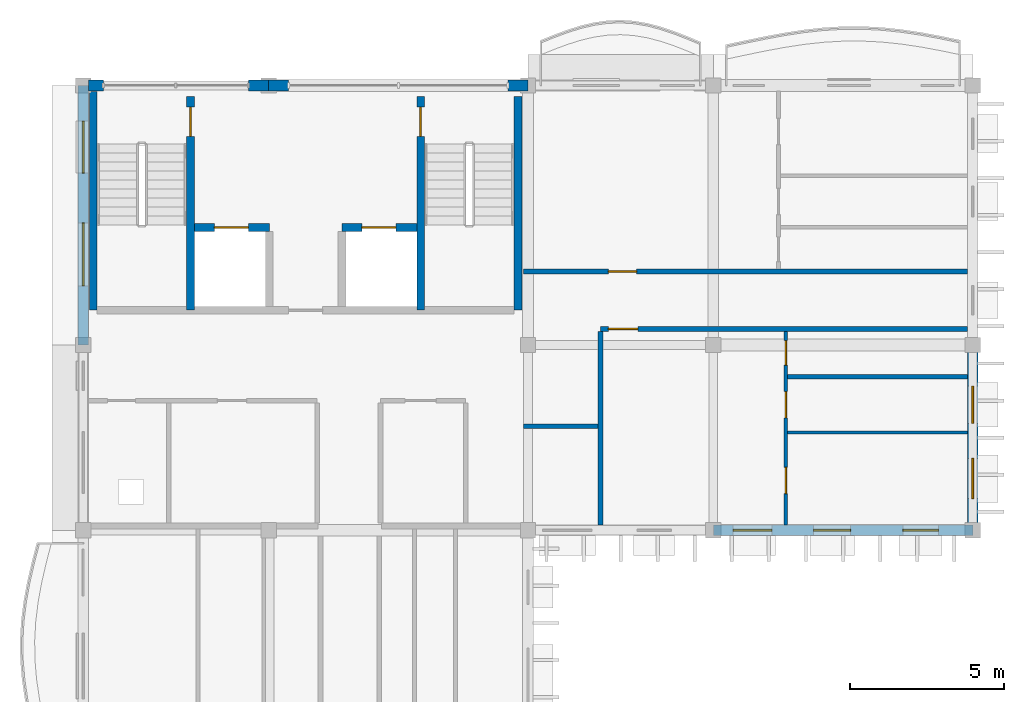
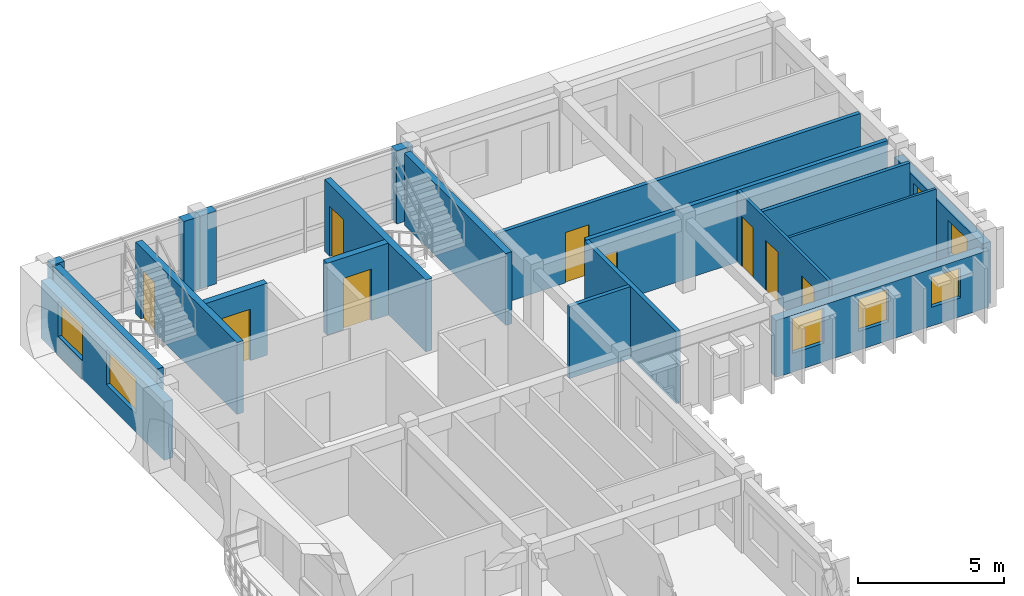
# One storey, part 6 of 11: 20 walls, 9 doors, 7 windows, 16 openings.
"""IFC4 building model written with IfcOpenShell, lengths in metres."""

from ifc_helpers import new_model, si_unit, direction, frame, frame_2d, origin, place, context, subcontext, project, spatial, rectangle, extrude, material, layer, layer_set, type_object, element, fill, save


model = new_model("IFC4")

# Units and contexts
model_context = context("Model", 3, precision=1e-05, world=origin(), true_north=direction((0.0, 1.0)))
body_context = subcontext(model_context, "Body", "Model", "MODEL_VIEW")
ifc_project = project(units=[si_unit("LENGTHUNIT", "METRE"), si_unit("AREAUNIT", "SQUARE_METRE"), si_unit("VOLUMEUNIT", "CUBIC_METRE"), si_unit("PLANEANGLEUNIT", "RADIAN"), si_unit("MASSUNIT", "GRAM", prefix="KILO"), si_unit("THERMODYNAMICTEMPERATUREUNIT", "KELVIN")], contexts=[model_context])

# Site, building, storey
site_placement = place(None, origin())
site = spatial("IfcSite", under=ifc_project, at=site_placement, CompositionType="ELEMENT")
building_placement = place(site_placement, origin())
building = spatial("IfcBuilding", under=site, at=building_placement, Name="Thalorik Housing Commons", CompositionType="ELEMENT")
storey_placement = place(building_placement, frame((0.0, 0.0, 47.699951171875)))
storey = spatial("IfcBuildingStorey", under=building, at=storey_placement, Name="L14", CompositionType="ELEMENT", Elevation=47.699951171875)

# Wall, opening, door
ifc_material_1 = material(Name="Concrete C40/50", Category="concrete")
ifc_layer_1 = layer(ifc_material_1, 0.25, Name="Concrete C40/50", Category="concrete")
ifc_layer_set_1 = layer_set([ifc_layer_1], Name="Concrete C40/50")
wall_type_1 = type_object("IfcWallType", Name="ARC-WAL-CORE-250", PredefinedType="SHEAR", material=ifc_layer_set_1)
wall_1_placement = place(storey_placement, frame((11.875, 123.25, 0.0), z_axis=(0.0, 0.0, 1.0), x_axis=(0.0, -1.0, 0.0)))
wall_1 = element("IfcWall", 1, at=wall_1_placement, inside=storey, type_object=wall_type_1, Name="L14 Core A Stair 1 Shear Wall", PredefinedType="SHEAR", context=body_context, shape_type="SweptSolid", body=[
    extrude(rectangle(XDim=6.925048828125, YDim=0.25, at=frame_2d((3.46240234375, 0.0))), origin(), (0.0, 0.0, 1.0), 3.0),
])
opening_1_placement = place(wall_1_placement, frame((0.35009765625, 0.0, 0.0)))
opening_1 = element("IfcOpeningElement", 2, at=opening_1_placement, cuts=wall_1, Name="Opening ID-0121", PredefinedType="OPENING", context=body_context, shape_type="SweptSolid", body=[
    extrude(rectangle(XDim=0.949951171875, YDim=2.10009765625, at=frame_2d((0.47509765625, 1.050048828125))), frame((0.0, 0.135009765625, 0.0), z_axis=(0.0, -1.0, 0.0), x_axis=(1.0, 0.0, 0.0)), (0.0, 0.0, 1.0), 0.27001953125),
])
ifc_material_2 = material(Name="Steel S355", Category="steel")
door_type_1 = type_object("IfcDoorType", Name="ARC-DR-FD60-950", OperationType="NOTDEFINED", PredefinedType="DOOR", material=ifc_material_2)
door_1_placement = place(opening_1_placement, origin())
door_1 = element("IfcDoor", 3, at=door_1_placement, inside=storey, type_object=door_type_1, Name="L14 Stair ST-A1 Fire Door", OperationType="SINGLE_SWING_RIGHT", OverallHeight=2.10009765625, OverallWidth=0.949951171875, PredefinedType="DOOR", context=body_context, shape_type="SweptSolid", body=[
    extrude(rectangle(XDim=0.949951171875, YDim=2.10009765625, at=frame_2d((0.47509765625, 1.050048828125))), frame((0.0, 0.02490234375, 0.0), z_axis=(0.0, -1.0, 0.0), x_axis=(1.0, 0.0, 0.0)), (0.0, 0.0, 1.0), 0.050048828125),
])
fill(opening_1, door_1)

# Walls
wall_2_placement = place(storey_placement, frame((8.72509765625, 123.39990234375, 0.0), z_axis=(0.0, 0.0, 1.0), x_axis=(0.0, -1.0, 0.0)))
element("IfcWall", 4, at=wall_2_placement, inside=storey, type_object=wall_type_1, Name="L14 Core A Stair 1 Outer Shear Wall", PredefinedType="SHEAR", context=body_context, shape_type="SweptSolid", body=[
    extrude(rectangle(XDim=7.074951171875, YDim=0.25, at=frame_2d((3.53759765625, 0.0))), origin(), (0.0, 0.0, 1.0), 3.0),
])
wall_3_placement = place(storey_placement, frame((22.47509765625, 123.25, 0.0), z_axis=(0.0, 0.0, 1.0), x_axis=(0.0, -1.0, 0.0)))
element("IfcWall", 5, at=wall_3_placement, inside=storey, type_object=wall_type_1, Name="L14 Core A Stair 2 Outer Shear Wall", PredefinedType="SHEAR", context=body_context, shape_type="SweptSolid", body=[
    extrude(rectangle(XDim=6.925048828125, YDim=0.25, at=frame_2d((3.46240234375, 0.0))), origin(), (0.0, 0.0, 1.0), 3.0),
])

# Wall, opening, door
wall_4_placement = place(storey_placement, frame((19.324951171875, 123.25, 0.0), z_axis=(0.0, 0.0, 1.0), x_axis=(0.0, -1.0, 0.0)))
wall_4 = element("IfcWall", 6, at=wall_4_placement, inside=storey, type_object=wall_type_1, Name="L14 Core A Stair 2 Shear Wall", PredefinedType="SHEAR", context=body_context, shape_type="SweptSolid", body=[
    extrude(rectangle(XDim=6.925048828125, YDim=0.25, at=frame_2d((3.46240234375, 0.0))), origin(), (0.0, 0.0, 1.0), 3.0),
])
opening_2_placement = place(wall_4_placement, frame((0.35009765625, 0.0, 0.0)))
opening_2 = element("IfcOpeningElement", 7, at=opening_2_placement, cuts=wall_4, Name="Opening ID-0122", PredefinedType="OPENING", context=body_context, shape_type="SweptSolid", body=[
    extrude(rectangle(XDim=0.949951171875, YDim=2.10009765625, at=frame_2d((0.47509765625, 1.050048828125))), frame((0.0, 0.135009765625, 0.0), z_axis=(0.0, -1.0, 0.0), x_axis=(1.0, 0.0, 0.0)), (0.0, 0.0, 1.0), 0.27001953125),
])
door_2_placement = place(opening_2_placement, origin())
door_2 = element("IfcDoor", 8, at=door_2_placement, inside=storey, type_object=door_type_1, Name="L14 Stair ST-A2 Fire Door", OperationType="SINGLE_SWING_LEFT", OverallHeight=2.10009765625, OverallWidth=0.949951171875, PredefinedType="DOOR", context=body_context, shape_type="SweptSolid", body=[
    extrude(rectangle(XDim=0.949951171875, YDim=2.10009765625, at=frame_2d((0.47509765625, 1.050048828125))), frame((0.0, 0.02490234375, 0.0), z_axis=(0.0, -1.0, 0.0), x_axis=(1.0, 0.0, 0.0)), (0.0, 0.0, 1.0), 0.050048828125),
])
fill(opening_2, door_2)

wall_5_placement = place(storey_placement, frame((12.0, 119.0, 0.0), z_axis=(0.0, 0.0, 1.0), x_axis=(1.0, 0.0, 0.0)))
wall_5 = element("IfcWall", 9, at=wall_5_placement, inside=storey, type_object=wall_type_1, Name="L14 Lift LF-A1 Front Shaft Wall", PredefinedType="SHEAR", context=body_context, shape_type="SweptSolid", body=[
    extrude(rectangle(XDim=2.425048828125, YDim=0.25, at=frame_2d((1.21240234375, 0.0))), origin(), (0.0, 0.0, 1.0), 3.0),
])
opening_3_placement = place(wall_5_placement, frame((0.64990234375, 0.0, 0.0)))
opening_3 = element("IfcOpeningElement", 10, at=opening_3_placement, cuts=wall_5, Name="Opening LD-LF-A1-L14", PredefinedType="OPENING", context=body_context, shape_type="SweptSolid", body=[
    extrude(rectangle(XDim=1.10009765625, YDim=2.14990234375, at=frame_2d((0.550048828125, 1.074951171875))), frame((0.0, 0.135009765625, 0.0), z_axis=(0.0, -1.0, 0.0), x_axis=(1.0, 0.0, 0.0)), (0.0, 0.0, 1.0), 0.27001953125),
])
door_type_2 = type_object("IfcDoorType", Name="ARC-DR-LIFT-1100", OperationType="NOTDEFINED", PredefinedType="DOOR", material=ifc_material_2)
door_3_placement = place(opening_3_placement, origin())
door_3 = element("IfcDoor", 11, at=door_3_placement, inside=storey, type_object=door_type_2, Name="L14 Lift LF-A1 Landing Door", OperationType="SLIDING_TO_LEFT", OverallHeight=2.14990234375, OverallWidth=1.10009765625, PredefinedType="DOOR", context=body_context, shape_type="SweptSolid", body=[
    extrude(rectangle(XDim=1.10009765625, YDim=2.14990234375, at=frame_2d((0.550048828125, 1.074951171875))), frame((0.0, 0.02490234375, 0.0), z_axis=(0.0, -1.0, 0.0), x_axis=(1.0, 0.0, 0.0)), (0.0, 0.0, 1.0), 0.050048828125),
])
fill(opening_3, door_3)

wall_6_placement = place(storey_placement, frame((16.77490234375, 119.0, 0.0), z_axis=(0.0, 0.0, 1.0), x_axis=(1.0, 0.0, 0.0)))
wall_6 = element("IfcWall", 12, at=wall_6_placement, inside=storey, type_object=wall_type_1, Name="L14 Lift LP-A2 Front Shaft Wall", PredefinedType="SHEAR", context=body_context, shape_type="SweptSolid", body=[
    extrude(rectangle(XDim=2.425048828125, YDim=0.25, at=frame_2d((1.21240234375, 0.0))), origin(), (0.0, 0.0, 1.0), 3.0),
])
opening_4_placement = place(wall_6_placement, frame((0.64990234375, 0.0, 0.0)))
opening_4 = element("IfcOpeningElement", 13, at=opening_4_placement, cuts=wall_6, Name="Opening LD-LP-A2-L14", PredefinedType="OPENING", context=body_context, shape_type="SweptSolid", body=[
    extrude(rectangle(XDim=1.10009765625, YDim=2.14990234375, at=frame_2d((0.550048828125, 1.074951171875))), frame((0.0, 0.135009765625, 0.0), z_axis=(0.0, -1.0, 0.0), x_axis=(1.0, 0.0, 0.0)), (0.0, 0.0, 1.0), 0.27001953125),
])
door_4_placement = place(opening_4_placement, origin())
door_4 = element("IfcDoor", 14, at=door_4_placement, inside=storey, type_object=door_type_2, Name="L14 Lift LP-A2 Landing Door", OperationType="SLIDING_TO_LEFT", OverallHeight=2.14990234375, OverallWidth=1.10009765625, PredefinedType="DOOR", context=body_context, shape_type="SweptSolid", body=[
    extrude(rectangle(XDim=1.10009765625, YDim=2.14990234375, at=frame_2d((0.550048828125, 1.074951171875))), frame((0.0, 0.02490234375, 0.0), z_axis=(0.0, -1.0, 0.0), x_axis=(1.0, 0.0, 0.0)), (0.0, 0.0, 1.0), 0.050048828125),
])
fill(opening_4, door_4)

# Wall
ifc_material_3 = material(Name="Masonry fire-rated corridor wall", Category="masonry")
ifc_layer_2 = layer(ifc_material_3, 0.14990234375, Name="Masonry fire-rated corridor wall", Category="masonry")
ifc_layer_set_2 = layer_set([ifc_layer_2], Name="Masonry fire-rated corridor wall")
wall_type_2 = type_object("IfcWallType", Name="ARC-WAL-CORR-150", PredefinedType="PARTITIONING", material=ifc_layer_set_2)
wall_7_placement = place(storey_placement, frame((22.659912109375, 112.570068359375, 0.0), z_axis=(0.0, 0.0, 1.0), x_axis=(1.0, 0.0, 0.0)))
element("IfcWall", 15, at=wall_7_placement, inside=storey, type_object=wall_type_2, Name="L14 Block A Vestibule South Wall", PredefinedType="PARTITIONING", context=body_context, shape_type="SweptSolid", body=[
    extrude(rectangle(XDim=2.405517578125, YDim=0.14990234375, at=frame_2d((1.20263671875, 0.0))), origin(), (0.0, 0.0, 1.0), 3.0),
])

# Wall, opening, door
wall_8_placement = place(storey_placement, frame((22.659912109375, 117.580078125, 0.0), z_axis=(0.0, 0.0, 1.0), x_axis=(1.0, 0.0, 0.0)))
wall_8 = element("IfcWall", 16, at=wall_8_placement, inside=storey, type_object=wall_type_2, Name="L14 Block A N Corridor Wall 2", PredefinedType="PARTITIONING", context=body_context, shape_type="SweptSolid", body=[
    extrude(rectangle(XDim=14.363037109375, YDim=0.14990234375, at=frame_2d((7.181640625, 0.0))), origin(), (0.0, 0.0, 1.0), 3.0),
])
opening_5_placement = place(wall_8_placement, frame((2.739990234375, 0.0, 0.0)))
opening_5 = element("IfcOpeningElement", 17, at=opening_5_placement, cuts=wall_8, Name="Opening ID-0956", PredefinedType="OPENING", context=body_context, shape_type="SweptSolid", body=[
    extrude(rectangle(XDim=0.919921875, YDim=2.10009765625, at=frame_2d((0.4599609375, 1.050048828125))), frame((0.0, 0.0849609375, 0.0), z_axis=(0.0, -1.0, 0.0), x_axis=(1.0, 0.0, 0.0)), (0.0, 0.0, 1.0), 0.169921875),
])
ifc_material_4 = material(Name="Solid core hardwood timber", Category="wood")
door_type_3 = type_object("IfcDoorType", Name="ARC-DR-FD30-920", OperationType="NOTDEFINED", PredefinedType="DOOR", material=ifc_material_4)
door_5_placement = place(opening_5_placement, origin())
door_5 = element("IfcDoor", 18, at=door_5_placement, inside=storey, type_object=door_type_3, Name="L14 Flat AN-1B Entrance Door", OperationType="SINGLE_SWING_LEFT", OverallHeight=2.10009765625, OverallWidth=0.919921875, PredefinedType="DOOR", context=body_context, shape_type="SweptSolid", body=[
    extrude(rectangle(XDim=0.919921875, YDim=2.10009765625, at=frame_2d((0.4599609375, 1.050048828125))), frame((0.0, 0.02490234375, 0.0), z_axis=(0.0, -1.0, 0.0), x_axis=(1.0, 0.0, 0.0)), (0.0, 0.0, 1.0), 0.050048828125),
])
fill(opening_5, door_5)

# Wall
ifc_layer_3 = layer(ifc_material_3, 0.1650390625, Name="Masonry fire-rated corridor wall", Category="masonry")
ifc_layer_set_3 = layer_set([ifc_layer_3], Name="Masonry fire-rated corridor wall")
wall_type_3 = type_object("IfcWallType", Name="ARC-WAL-CORR-165", PredefinedType="PARTITIONING", material=ifc_layer_set_3)
wall_9_placement = place(storey_placement, frame((25.14990234375, 109.376953125, 0.0), z_axis=(0.0, 0.0, 1.0), x_axis=(0.0, 1.0, 0.0)))
element("IfcWall", 19, at=wall_9_placement, inside=storey, type_object=wall_type_3, Name="L14 Block A Vestibule Cheek Wall", PredefinedType="PARTITIONING", context=body_context, shape_type="SweptSolid", body=[
    extrude(rectangle(XDim=6.258544921875, YDim=0.1650390625, at=frame_2d((3.12939453125, 0.0))), origin(), (0.0, 0.0, 1.0), 3.0),
])

# Wall, opening, door
wall_10_placement = place(storey_placement, frame((25.14990234375, 115.719970703125, 0.0), z_axis=(0.0, 0.0, 1.0), x_axis=(1.0, 0.0, 0.0)))
wall_10 = element("IfcWall", 20, at=wall_10_placement, inside=storey, type_object=wall_type_3, Name="L14 Block A N Corridor Wall 1", PredefinedType="PARTITIONING", context=body_context, shape_type="SweptSolid", body=[
    extrude(rectangle(XDim=11.873046875, YDim=0.1650390625, at=frame_2d((5.9365234375, 0.0))), origin(), (0.0, 0.0, 1.0), 3.0),
])
opening_6_placement = place(wall_10_placement, frame((0.25, 0.0, 0.0)))
opening_6 = element("IfcOpeningElement", 21, at=opening_6_placement, cuts=wall_10, Name="Opening ID-0955", PredefinedType="OPENING", context=body_context, shape_type="SweptSolid", body=[
    extrude(rectangle(XDim=0.9599609375, YDim=2.1201171875, at=frame_2d((0.47998046875, 1.06005859375))), frame((0.0, 0.092529296875, 0.0), z_axis=(0.0, -1.0, 0.0), x_axis=(1.0, 0.0, 0.0)), (0.0, 0.0, 1.0), 0.18505859375),
])
door_type_4 = type_object("IfcDoorType", Name="ARC-DR-FD30-960", OperationType="NOTDEFINED", PredefinedType="DOOR", material=ifc_material_4)
door_6_placement = place(opening_6_placement, origin())
door_6 = element("IfcDoor", 22, at=door_6_placement, inside=storey, type_object=door_type_4, Name="L14 Flat AN-1A Entrance Door", OperationType="SINGLE_SWING_RIGHT", OverallHeight=2.1201171875, OverallWidth=0.9599609375, PredefinedType="DOOR", context=body_context, shape_type="SweptSolid", body=[
    extrude(rectangle(XDim=0.9599609375, YDim=2.1201171875, at=frame_2d((0.47998046875, 1.06005859375))), frame((0.0, 0.02490234375, 0.0), z_axis=(0.0, -1.0, 0.0), x_axis=(1.0, 0.0, 0.0)), (0.0, 0.0, 1.0), 0.050048828125),
])
fill(opening_6, door_6)

# Wall, openings, windows
ifc_material_5 = material(Name="White precast concrete C40/50", Category="concrete")
ifc_layer_4 = layer(ifc_material_5, 0.35009765625, Name="White precast concrete C40/50", Category="concrete")
ifc_layer_set_4 = layer_set([ifc_layer_4], Name="White precast concrete C40/50")
wall_type_4 = type_object("IfcWallType", Name="ARC-WAL-EXT-350", PredefinedType="STANDARD", material=ifc_layer_set_4)
wall_11_placement = place(storey_placement, frame((28.800048828125, 109.199951171875, 0.0), z_axis=(0.0, 0.0, 1.0), x_axis=(1.0, 0.0, 0.0)))
wall_11 = element("IfcWall", 23, at=wall_11_placement, inside=storey, type_object=wall_type_4, Name="L14 Exterior Wall WAL-EXT-L14-A-0334", PredefinedType="STANDARD", context=body_context, shape_type="SweptSolid", body=[
    extrude(rectangle(XDim=8.39990234375, YDim=0.35009765625, at=frame_2d((4.199951171875, 0.0))), origin(), (0.0, 0.0, 1.0), 2.375),
])
opening_7_placement = place(wall_11_placement, frame((0.642578125, 0.0, 0.780029296875)))
opening_7 = element("IfcOpeningElement", 24, at=opening_7_placement, cuts=wall_11, Name="Opening W-47", PredefinedType="OPENING", context=body_context, shape_type="SweptSolid", body=[
    extrude(rectangle(XDim=1.25, YDim=1.449951171875, at=frame_2d((0.625, 0.72509765625))), frame((0.0, 0.18505859375, 0.0), z_axis=(0.0, -1.0, 0.0), x_axis=(1.0, 0.0, 0.0)), (0.0, 0.0, 1.0), 0.3701171875),
])
opening_8_placement = place(wall_11_placement, frame((3.246337890625, 0.0, 0.780029296875)))
opening_8 = element("IfcOpeningElement", 25, at=opening_8_placement, cuts=wall_11, Name="Opening W-04", PredefinedType="OPENING", context=body_context, shape_type="SweptSolid", body=[
    extrude(rectangle(XDim=1.199951171875, YDim=1.35009765625, at=frame_2d((0.60009765625, 0.675048828125))), frame((0.0, 0.18505859375, 0.0), z_axis=(0.0, -1.0, 0.0), x_axis=(1.0, 0.0, 0.0)), (0.0, 0.0, 1.0), 0.3701171875),
])
opening_9_placement = place(wall_11_placement, frame((6.1337890625, 0.0, 0.780029296875)))
opening_9 = element("IfcOpeningElement", 26, at=opening_9_placement, cuts=wall_11, Name="Opening W-45", PredefinedType="OPENING", context=body_context, shape_type="SweptSolid", body=[
    extrude(rectangle(XDim=1.14990234375, YDim=1.25, at=frame_2d((0.574951171875, 0.625))), frame((0.0, 0.18505859375, 0.0), z_axis=(0.0, -1.0, 0.0), x_axis=(1.0, 0.0, 0.0)), (0.0, 0.0, 1.0), 0.3701171875),
])
ifc_material_6 = material(Name="Anodised aluminium and solar-control low-E glass", Category="aluminium")
window_type_1 = type_object("IfcWindowType", Name="ARC-WIN-04", PartitioningType="SINGLE_PANEL", PredefinedType="WINDOW", material=ifc_material_6)
window_1_placement = place(opening_8_placement, origin())
window_1 = element("IfcWindow", 27, at=window_1_placement, inside=storey, type_object=window_type_1, Name="L14 Facade Window 597", OverallHeight=1.35009765625, OverallWidth=1.199951171875, PartitioningType="SINGLE_PANEL", PredefinedType="WINDOW", context=body_context, shape_type="SweptSolid", body=[
    extrude(rectangle(XDim=1.199951171875, YDim=1.35009765625, at=frame_2d((0.60009765625, 0.675048828125))), frame((0.0, 0.030029296875, 0.0), z_axis=(0.0, -1.0, 0.0), x_axis=(1.0, 0.0, 0.0)), (0.0, 0.0, 1.0), 0.06005859375),
])
fill(opening_8, window_1)
window_type_2 = type_object("IfcWindowType", Name="ARC-WIN-45", PartitioningType="SINGLE_PANEL", PredefinedType="WINDOW", material=ifc_material_6)
window_2_placement = place(opening_9_placement, origin())
window_2 = element("IfcWindow", 28, at=window_2_placement, inside=storey, type_object=window_type_2, Name="L14 Facade Window 598", OverallHeight=1.25, OverallWidth=1.14990234375, PartitioningType="SINGLE_PANEL", PredefinedType="WINDOW", context=body_context, shape_type="SweptSolid", body=[
    extrude(rectangle(XDim=1.14990234375, YDim=1.25, at=frame_2d((0.574951171875, 0.625))), frame((0.0, 0.030029296875, 0.0), z_axis=(0.0, -1.0, 0.0), x_axis=(1.0, 0.0, 0.0)), (0.0, 0.0, 1.0), 0.06005859375),
])
fill(opening_9, window_2)
window_type_3 = type_object("IfcWindowType", Name="ARC-WIN-47", PartitioningType="SINGLE_PANEL", PredefinedType="WINDOW", material=ifc_material_6)
window_3_placement = place(opening_7_placement, origin())
window_3 = element("IfcWindow", 29, at=window_3_placement, inside=storey, type_object=window_type_3, Name="L14 Facade Window 596", OverallHeight=1.449951171875, OverallWidth=1.25, PartitioningType="SINGLE_PANEL", PredefinedType="WINDOW", context=body_context, shape_type="SweptSolid", body=[
    extrude(rectangle(XDim=1.25, YDim=1.449951171875, at=frame_2d((0.625, 0.72509765625))), frame((0.0, 0.030029296875, 0.0), z_axis=(0.0, -1.0, 0.0), x_axis=(1.0, 0.0, 0.0)), (0.0, 0.0, 1.0), 0.06005859375),
])
fill(opening_7, window_3)

wall_12_placement = place(storey_placement, frame((37.199951171875, 109.199951171875, 0.0), z_axis=(0.0, 0.0, 1.0), x_axis=(0.0, 1.0, 0.0)))
wall_12 = element("IfcWall", 30, at=wall_12_placement, inside=storey, type_object=wall_type_4, Name="L14 Exterior Wall WAL-EXT-L14-A-0335", PredefinedType="STANDARD", context=body_context, shape_type="SweptSolid", body=[
    extrude(rectangle(XDim=6.0, YDim=0.35009765625, at=frame_2d((3.0, 0.0))), origin(), (0.0, 0.0, 1.0), 2.574951171875),
])
opening_10_placement = place(wall_12_placement, frame((1.025390625, 0.0, 0.780029296875)))
opening_10 = element("IfcOpeningElement", 31, at=opening_10_placement, cuts=wall_12, Name="Opening W-06", PredefinedType="OPENING", context=body_context, shape_type="SweptSolid", body=[
    extrude(rectangle(XDim=1.300048828125, YDim=1.39990234375, at=frame_2d((0.64990234375, 0.699951171875))), frame((0.0, 0.18505859375, 0.0), z_axis=(0.0, -1.0, 0.0), x_axis=(1.0, 0.0, 0.0)), (0.0, 0.0, 1.0), 0.3701171875),
])
opening_11_placement = place(wall_12_placement, frame((3.465087890625, 0.0, 0.780029296875)))
opening_11 = element("IfcOpeningElement", 32, at=opening_11_placement, cuts=wall_12, Name="Opening W-05", PredefinedType="OPENING", context=body_context, shape_type="SweptSolid", body=[
    extrude(rectangle(XDim=1.199951171875, YDim=1.5, at=frame_2d((0.60009765625, 0.75))), frame((0.0, 0.18505859375, 0.0), z_axis=(0.0, -1.0, 0.0), x_axis=(1.0, 0.0, 0.0)), (0.0, 0.0, 1.0), 0.3701171875),
])
window_type_4 = type_object("IfcWindowType", Name="ARC-WIN-05", PartitioningType="SINGLE_PANEL", PredefinedType="WINDOW", material=ifc_material_6)
window_4_placement = place(opening_11_placement, origin())
window_4 = element("IfcWindow", 33, at=window_4_placement, inside=storey, type_object=window_type_4, Name="L14 Facade Window 600", OverallHeight=1.5, OverallWidth=1.199951171875, PartitioningType="SINGLE_PANEL", PredefinedType="WINDOW", context=body_context, shape_type="SweptSolid", body=[
    extrude(rectangle(XDim=1.199951171875, YDim=1.5, at=frame_2d((0.60009765625, 0.75))), frame((0.0, 0.030029296875, 0.0), z_axis=(0.0, -1.0, 0.0), x_axis=(1.0, 0.0, 0.0)), (0.0, 0.0, 1.0), 0.06005859375),
])
fill(opening_11, window_4)
window_type_5 = type_object("IfcWindowType", Name="ARC-WIN-06", PartitioningType="SINGLE_PANEL", PredefinedType="WINDOW", material=ifc_material_6)
window_5_placement = place(opening_10_placement, origin())
window_5 = element("IfcWindow", 34, at=window_5_placement, inside=storey, type_object=window_type_5, Name="L14 Facade Window 599", OverallHeight=1.39990234375, OverallWidth=1.300048828125, PartitioningType="SINGLE_PANEL", PredefinedType="WINDOW", context=body_context, shape_type="SweptSolid", body=[
    extrude(rectangle(XDim=1.300048828125, YDim=1.39990234375, at=frame_2d((0.64990234375, 0.699951171875))), frame((0.0, 0.030029296875, 0.0), z_axis=(0.0, -1.0, 0.0), x_axis=(1.0, 0.0, 0.0)), (0.0, 0.0, 1.0), 0.06005859375),
])
fill(opening_10, window_5)

# Walls
for number, where, z_axis, x_axis, name in (
    (35, (22.800048828125, 123.60009765625, 0.0), (0.0, 0.0, 1.0), (-1.0, 0.0, 0.0), "L14 Exterior Wall WAL-PIERL-L14-A-0339"),
    (36, (15.050048828125, 123.60009765625, 0.0), (0.0, 0.0, 1.0), (-1.0, 0.0, 0.0), "L14 Exterior Wall WAL-PIERR-L14-A-0339"),
):
    element("IfcWall", number, at=place(storey_placement, frame(where, z_axis=z_axis, x_axis=x_axis)), inside=storey, type_object=wall_type_4, Name=name, PredefinedType="STANDARD", context=body_context, shape_type="SweptSolid", body=[
        extrude(rectangle(XDim=0.650146484375, YDim=0.35009765625, at=frame_2d((0.3251953125, 0.0))), origin(), (0.0, 0.0, 1.0), 3.0400390625),
    ])
wall_13_placement = place(storey_placement, frame((14.39990234375, 123.60009765625, 0.0), z_axis=(0.0, 0.0, 1.0), x_axis=(-1.0, 0.0, 0.0)))
element("IfcWall", 37, at=wall_13_placement, inside=storey, type_object=wall_type_4, Name="L14 Exterior Wall WAL-PIERL-L14-A-0340", PredefinedType="STANDARD", context=body_context, shape_type="SweptSolid", body=[
    extrude(rectangle(XDim=0.64990234375, YDim=0.35009765625, at=frame_2d((0.324951171875, 0.0))), origin(), (0.0, 0.0, 1.0), 3.0400390625),
])
wall_14_placement = place(storey_placement, frame((9.050048828125, 123.60009765625, 0.0), z_axis=(0.0, 0.0, 1.0), x_axis=(-1.0, 0.0, 0.0)))
element("IfcWall", 38, at=wall_14_placement, inside=storey, type_object=wall_type_4, Name="L14 Exterior Wall WAL-PIERR-L14-A-0340", PredefinedType="STANDARD", context=body_context, shape_type="SweptSolid", body=[
    extrude(rectangle(XDim=0.47314453125, YDim=0.35009765625, at=frame_2d((0.236572265625, 0.0))), origin(), (0.0, 0.0, 1.0), 3.0400390625),
])

# Wall, openings, windows
wall_15_placement = place(storey_placement, frame((8.39990234375, 123.60009765625, 0.0), z_axis=(0.0, 0.0, 1.0), x_axis=(0.0, -1.0, 0.0)))
wall_15 = element("IfcWall", 39, at=wall_15_placement, inside=storey, type_object=wall_type_4, Name="L14 Exterior Wall WAL-EXT-L14-A-0341", PredefinedType="STANDARD", context=body_context, shape_type="SweptSolid", body=[
    extrude(rectangle(XDim=8.400146484375, YDim=0.35009765625, at=frame_2d((4.2001953125, 0.0))), origin(), (0.0, 0.0, 1.0), 2.425048828125),
])
opening_12_placement = place(wall_15_placement, frame((1.15625, 0.0, 0.780029296875)))
opening_12 = element("IfcOpeningElement", 40, at=opening_12_placement, cuts=wall_15, Name="Opening W-55", PredefinedType="OPENING", context=body_context, shape_type="SweptSolid", body=[
    extrude(rectangle(XDim=1.679931640625, YDim=1.4599609375, at=frame_2d((0.83984375, 0.72998046875))), frame((0.0, 0.18505859375, 0.0), z_axis=(0.0, -1.0, 0.0), x_axis=(1.0, 0.0, 0.0)), (0.0, 0.0, 1.0), 0.3701171875),
])
opening_13_placement = place(wall_15_placement, frame((4.44873046875, 0.0, 0.780029296875)))
opening_13 = element("IfcOpeningElement", 41, at=opening_13_placement, cuts=wall_15, Name="Opening W-62", PredefinedType="OPENING", context=body_context, shape_type="SweptSolid", body=[
    extrude(rectangle(XDim=2.0400390625, YDim=1.4599609375, at=frame_2d((1.02001953125, 0.72998046875))), frame((0.0, 0.18505859375, 0.0), z_axis=(0.0, -1.0, 0.0), x_axis=(1.0, 0.0, 0.0)), (0.0, 0.0, 1.0), 0.3701171875),
])
window_type_6 = type_object("IfcWindowType", Name="ARC-WIN-55", PartitioningType="DOUBLE_PANEL_VERTICAL", PredefinedType="WINDOW", material=ifc_material_6)
window_6_placement = place(opening_12_placement, origin())
window_6 = element("IfcWindow", 42, at=window_6_placement, inside=storey, type_object=window_type_6, Name="L14 Facade Window 607", OverallHeight=1.4599609375, OverallWidth=1.679931640625, PartitioningType="DOUBLE_PANEL_VERTICAL", PredefinedType="WINDOW", context=body_context, shape_type="SweptSolid", body=[
    extrude(rectangle(XDim=1.679931640625, YDim=1.4599609375, at=frame_2d((0.83984375, 0.72998046875))), frame((0.0, 0.030029296875, 0.0), z_axis=(0.0, -1.0, 0.0), x_axis=(1.0, 0.0, 0.0)), (0.0, 0.0, 1.0), 0.06005859375),
])
fill(opening_12, window_6)
window_type_7 = type_object("IfcWindowType", Name="ARC-WIN-62", PartitioningType="DOUBLE_PANEL_VERTICAL", PredefinedType="WINDOW", material=ifc_material_6)
window_7_placement = place(opening_13_placement, origin())
window_7 = element("IfcWindow", 43, at=window_7_placement, inside=storey, type_object=window_type_7, Name="L14 Facade Window 608", OverallHeight=1.4599609375, OverallWidth=2.0400390625, PartitioningType="DOUBLE_PANEL_VERTICAL", PredefinedType="WINDOW", context=body_context, shape_type="SweptSolid", body=[
    extrude(rectangle(XDim=2.0400390625, YDim=1.4599609375, at=frame_2d((1.02001953125, 0.72998046875))), frame((0.0, 0.030029296875, 0.0), z_axis=(0.0, -1.0, 0.0), x_axis=(1.0, 0.0, 0.0)), (0.0, 0.0, 1.0), 0.06005859375),
])
fill(opening_13, window_7)

# Wall
ifc_material_7 = material(Name="Gypsum light stud partition", Category="masonry")
ifc_layer_5 = layer(ifc_material_7, 0.10009765625, Name="Gypsum light stud partition", Category="masonry")
ifc_layer_set_5 = layer_set([ifc_layer_5], Name="Gypsum light stud partition")
wall_type_5 = type_object("IfcWallType", Name="ARC-WAL-PART-100", PredefinedType="PARTITIONING", material=ifc_layer_set_5)
wall_16_placement = place(storey_placement, frame((31.20458984375, 112.36083984375, 0.0), z_axis=(0.0, 0.0, 1.0), x_axis=(1.0, 0.0, 0.0)))
element("IfcWall", 44, at=wall_16_placement, inside=storey, type_object=wall_type_5, Name="L14 Unit 1 Bedroom Partition", PredefinedType="PARTITIONING", context=body_context, shape_type="SweptSolid", body=[
    extrude(rectangle(XDim=5.818359375, YDim=0.10009765625, at=frame_2d((2.9091796875, 0.0))), origin(), (0.0, 0.0, 1.0), 3.0),
])

# Wall, openings, doors
ifc_material_8 = material(Name="Gypsum moisture-resistant partition", Category="masonry")
ifc_layer_6 = layer(ifc_material_8, 0.114990234375, Name="Gypsum moisture-resistant partition", Category="masonry")
ifc_layer_set_6 = layer_set([ifc_layer_6], Name="Gypsum moisture-resistant partition")
wall_type_6 = type_object("IfcWallType", Name="ARC-WAL-PART-115", PredefinedType="PARTITIONING", material=ifc_layer_set_6)
wall_17_placement = place(storey_placement, frame((31.14501953125, 109.376953125, 0.0), z_axis=(0.0, 0.0, 1.0), x_axis=(0.0, 1.0, 0.0)))
wall_17 = element("IfcWall", 45, at=wall_17_placement, inside=storey, type_object=wall_type_6, Name="L14 Unit 1 Spine Partition", PredefinedType="PARTITIONING", context=body_context, shape_type="SweptSolid", body=[
    extrude(rectangle(XDim=6.258544921875, YDim=0.114990234375, at=frame_2d((3.12939453125, 0.0))), origin(), (0.0, 0.0, 1.0), 3.0),
])
opening_14_placement = place(wall_17_placement, frame((1.00830078125, 0.0, 0.0)))
opening_14 = element("IfcOpeningElement", 46, at=opening_14_placement, cuts=wall_17, Name="Opening ID-0949", PredefinedType="OPENING", context=body_context, shape_type="SweptSolid", body=[
    extrude(rectangle(XDim=0.85009765625, YDim=2.10009765625, at=frame_2d((0.425048828125, 1.050048828125))), frame((0.0, 0.0673828125, 0.0), z_axis=(0.0, -1.0, 0.0), x_axis=(1.0, 0.0, 0.0)), (0.0, 0.0, 1.0), 0.135009765625),
])
opening_15_placement = place(wall_17_placement, frame((3.463134765625, 0.0, 0.0)))
opening_15 = element("IfcOpeningElement", 47, at=opening_15_placement, cuts=wall_17, Name="Opening ID-0950", PredefinedType="OPENING", context=body_context, shape_type="SweptSolid", body=[
    extrude(rectangle(XDim=0.85009765625, YDim=2.10009765625, at=frame_2d((0.425048828125, 1.050048828125))), frame((0.0, 0.0673828125, 0.0), z_axis=(0.0, -1.0, 0.0), x_axis=(1.0, 0.0, 0.0)), (0.0, 0.0, 1.0), 0.135009765625),
])
opening_16_placement = place(wall_17_placement, frame((5.167724609375, 0.0, 0.0)))
opening_16 = element("IfcOpeningElement", 48, at=opening_16_placement, cuts=wall_17, Name="Opening ID-0951", PredefinedType="OPENING", context=body_context, shape_type="SweptSolid", body=[
    extrude(rectangle(XDim=0.800048828125, YDim=2.10009765625, at=frame_2d((0.39990234375, 1.050048828125))), frame((0.0, 0.0673828125, 0.0), z_axis=(0.0, -1.0, 0.0), x_axis=(1.0, 0.0, 0.0)), (0.0, 0.0, 1.0), 0.135009765625),
])
ifc_material_9 = material(Name="Moisture-resistant timber", Category="wood")
door_type_5 = type_object("IfcDoorType", Name="ARC-DR-INT-800", OperationType="NOTDEFINED", PredefinedType="DOOR", material=ifc_material_9)
door_7_placement = place(opening_16_placement, origin())
door_7 = element("IfcDoor", 49, at=door_7_placement, inside=storey, type_object=door_type_5, Name="L14 Flat Bathroom Door", OperationType="SINGLE_SWING_RIGHT", OverallHeight=2.10009765625, OverallWidth=0.800048828125, PredefinedType="DOOR", context=body_context, shape_type="SweptSolid", body=[
    extrude(rectangle(XDim=0.800048828125, YDim=2.10009765625, at=frame_2d((0.39990234375, 1.050048828125))), frame((0.0, 0.02490234375, 0.0), z_axis=(0.0, -1.0, 0.0), x_axis=(1.0, 0.0, 0.0)), (0.0, 0.0, 1.0), 0.050048828125),
])
fill(opening_16, door_7)
ifc_material_10 = material(Name="Engineered oak timber", Category="wood")
door_type_6 = type_object("IfcDoorType", Name="ARC-DR-INT-850", OperationType="NOTDEFINED", PredefinedType="DOOR", material=ifc_material_10)
door_8_placement = place(opening_14_placement, origin())
door_8 = element("IfcDoor", 50, at=door_8_placement, inside=storey, type_object=door_type_6, Name="L14 Double Bedroom Door", OperationType="SINGLE_SWING_RIGHT", OverallHeight=2.10009765625, OverallWidth=0.85009765625, PredefinedType="DOOR", context=body_context, shape_type="SweptSolid", body=[
    extrude(rectangle(XDim=0.85009765625, YDim=2.10009765625, at=frame_2d((0.425048828125, 1.050048828125))), frame((0.0, 0.02490234375, 0.0), z_axis=(0.0, -1.0, 0.0), x_axis=(1.0, 0.0, 0.0)), (0.0, 0.0, 1.0), 0.050048828125),
])
fill(opening_14, door_8)
door_9_placement = place(opening_15_placement, origin())
door_9 = element("IfcDoor", 51, at=door_9_placement, inside=storey, type_object=door_type_6, Name="L14 Galley Kitchen Door", OperationType="SINGLE_SWING_LEFT", OverallHeight=2.10009765625, OverallWidth=0.85009765625, PredefinedType="DOOR", context=body_context, shape_type="SweptSolid", body=[
    extrude(rectangle(XDim=0.85009765625, YDim=2.10009765625, at=frame_2d((0.425048828125, 1.050048828125))), frame((0.0, 0.02490234375, 0.0), z_axis=(0.0, -1.0, 0.0), x_axis=(1.0, 0.0, 0.0)), (0.0, 0.0, 1.0), 0.050048828125),
])
fill(opening_15, door_9)

# Wall
ifc_material_11 = material(Name="Ceramic masonry partition wall", Category="masonry")
ifc_layer_7 = layer(ifc_material_11, 0.139892578125, Name="Ceramic masonry partition wall", Category="masonry")
ifc_layer_set_7 = layer_set([ifc_layer_7], Name="Ceramic masonry partition wall")
wall_type_7 = type_object("IfcWallType", Name="ARC-WAL-PART-140", PredefinedType="PARTITIONING", material=ifc_layer_set_7)
wall_18_placement = place(storey_placement, frame((31.20458984375, 114.169677734375, 0.0), z_axis=(0.0, 0.0, 1.0), x_axis=(1.0, 0.0, 0.0)))
element("IfcWall", 52, at=wall_18_placement, inside=storey, type_object=wall_type_7, Name="L14 Unit 1 Wet Wall", PredefinedType="PARTITIONING", context=body_context, shape_type="SweptSolid", body=[
    extrude(rectangle(XDim=5.818359375, YDim=0.139892578125, at=frame_2d((2.9091796875, 0.0))), origin(), (0.0, 0.0, 1.0), 3.0),
])

save(model, "model.ifc")
